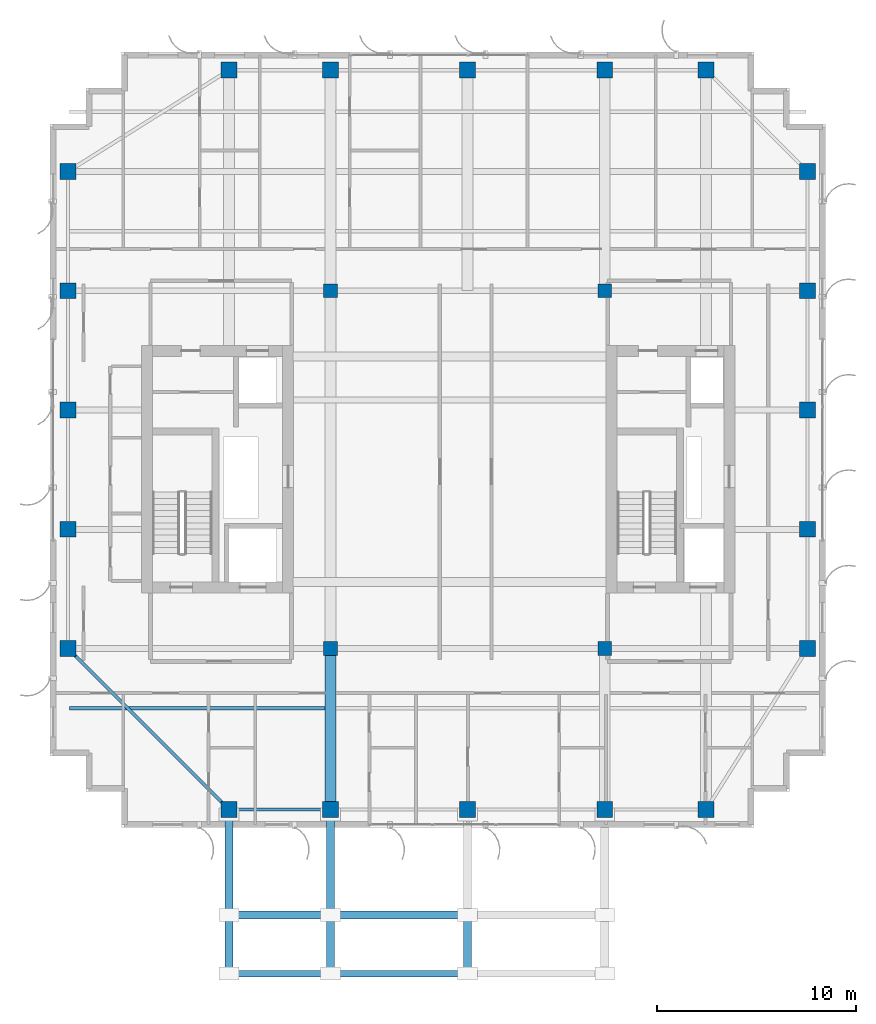
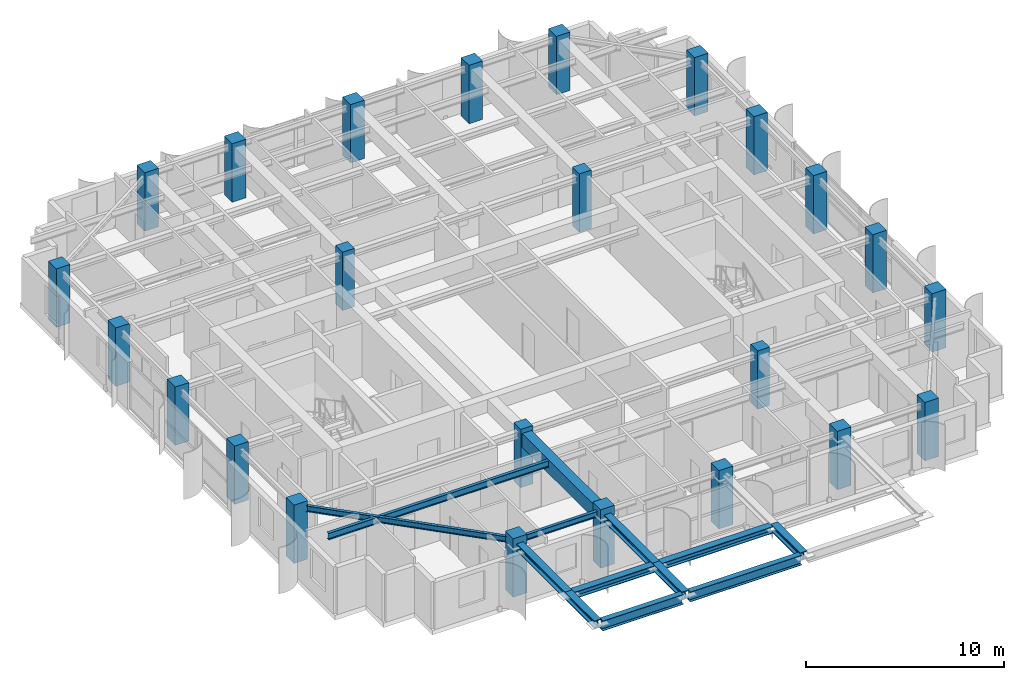
# One storey, part 1 of 19: 24 columns, 7 members, 6 beams.
"""IFC4 building model written with IfcOpenShell, lengths in metres."""

import ifcopenshell
import ifcopenshell.guid

model = None  # the IFC model being written
_history = None  # IfcOwnerHistory: only IFC2X3 demands one
_inside = {}  # id of a spatial element -> (the spatial element, [elements in it])
_under = {}  # id of a project, library or spatial element -> (it, [spatial elements below it])
_declared = {}  # id of a project -> (the project, [libraries it declares])
_typed = {}  # id of a type object -> (the type object, [elements of that type])
_made_of = {}  # id of a material, layer set ... -> (it, [elements and type objects made of it])


def new_model(schema):
    """Start an empty IFC model of exactly this schema.

    Asked for "IFC4X3", IfcOpenShell would pick the latest addendum, in which some entities
    have other attributes; the version numbers below select the first issue.
    IFC2X3 requires an IfcOwnerHistory on every rooted entity: one is made here for all.
    """
    global model, _history
    if schema == "IFC4X3":
        model = ifcopenshell.file(schema_version=(4, 3, 0, 0))
    else:
        model = ifcopenshell.file(schema=schema)
    _inside.clear()
    _under.clear()
    _declared.clear()
    _typed.clear()
    _made_of.clear()
    _history = None
    if model.schema == "IFC2X3":
        org = make("IfcOrganization", Name="unknown")
        user = make(
            "IfcPersonAndOrganization",
            ThePerson=make("IfcPerson", FamilyName="unknown"),
            TheOrganization=org,
        )
        app = make(
            "IfcApplication",
            ApplicationDeveloper=org,
            Version="unknown",
            ApplicationFullName="unknown",
            ApplicationIdentifier="unknown",
        )
        _history = make(
            "IfcOwnerHistory",
            OwningUser=user,
            OwningApplication=app,
            ChangeAction="ADDED",
            CreationDate=0,
        )
    return model


def make(cls, **values):
    """One entity of the class cls with the attributes given. An attribute that is None is left unset."""
    return model.create_entity(
        cls, **{name: value for name, value in values.items() if value is not None}
    )


def rooted(cls, **values):
    """An entity with a GlobalId (a new one), such as an element, a storey or a relation."""
    return make(cls, GlobalId=ifcopenshell.guid.new(), OwnerHistory=_history, **values)


def si_unit(unit_type, name, prefix=None):
    """IfcSIUnit, for example si_unit("LENGTHUNIT", "METRE", prefix="MILLI")."""
    return make("IfcSIUnit", UnitType=unit_type, Prefix=prefix, Name=name)


def assignment(units):
    """IfcUnitAssignment: the units of a project."""
    return None if units is None else make("IfcUnitAssignment", Units=units)


def point(xyz):
    """IfcCartesianPoint."""
    return None if xyz is None else make("IfcCartesianPoint", Coordinates=xyz)


def direction(xyz):
    """IfcDirection."""
    return None if xyz is None else make("IfcDirection", DirectionRatios=xyz)


def frame(location, z_axis=None, x_axis=None):
    """IfcAxis2Placement3D, a coordinate frame: its origin and axes. An axis left out is left unset."""
    return make(
        "IfcAxis2Placement3D",
        Location=point(location),
        Axis=direction(z_axis),
        RefDirection=direction(x_axis),
    )


def frame_2d(location, x_axis=None):
    """IfcAxis2Placement2D, a coordinate frame in the plane: its origin and x axis."""
    return make(
        "IfcAxis2Placement2D", Location=point(location), RefDirection=direction(x_axis)
    )


def origin():
    """The frame at (0, 0, 0) with its axes left unset."""
    return frame((0.0, 0.0, 0.0))


def origin_2d():
    """The frame at (0, 0) in the plane with its x axis left unset."""
    return frame_2d((0.0, 0.0))


def place(relative_to, where):
    """IfcLocalPlacement: puts the frame where relative to a parent placement (None: the world)."""
    return make(
        "IfcLocalPlacement", PlacementRelTo=relative_to, RelativePlacement=where
    )


def context(
    kind, dimensions, precision=None, world=None, true_north=None, identifier=None
):
    """IfcGeometricRepresentationContext, for example the 3D "Model" context."""
    return make(
        "IfcGeometricRepresentationContext",
        ContextIdentifier=identifier,
        ContextType=kind,
        CoordinateSpaceDimension=dimensions,
        Precision=precision,
        WorldCoordinateSystem=world,
        TrueNorth=true_north,
    )


def subcontext(parent, identifier, kind, view, scale=None):
    """IfcGeometricRepresentationSubContext, for example "Body" below "Model"."""
    return make(
        "IfcGeometricRepresentationSubContext",
        ContextIdentifier=identifier,
        ContextType=kind,
        ParentContext=parent,
        TargetScale=scale,
        TargetView=view,
    )


def project(units=None, contexts=None):
    """IfcProject with its units and contexts."""
    return rooted(
        "IfcProject",
        Name="project",
        RepresentationContexts=contexts,
        UnitsInContext=assignment(units),
    )


def spatial(cls, under=None, at=None, **own):
    """A site, building, storey or space (cls), placed at a placement, below another one or the project."""
    s = rooted(cls, ObjectPlacement=at, **own)
    if under is not None:
        _under.setdefault(under.id(), (under, []))[1].append(s)
    return s


def profile(cls, at=None, kind="AREA", **sizes):
    """A parametric profile (cls). Its sizes go by their IFC names, for example OverallWidth=200.0."""
    return make(cls, ProfileType=kind, Position=at, **sizes)


def rectangle(**sizes):
    """IfcRectangleProfileDef."""
    return profile("IfcRectangleProfileDef", **sizes)


def i_section(**sizes):
    """IfcIShapeProfileDef."""
    return profile("IfcIShapeProfileDef", **sizes)


def extrude(swept, where, along, depth):
    """IfcExtrudedAreaSolid: the profile swept, set in the frame where, extruded along a direction by depth."""
    return make(
        "IfcExtrudedAreaSolid",
        SweptArea=swept,
        Position=where,
        ExtrudedDirection=direction(along),
        Depth=depth,
    )


def shape(context_of_items, identifier, shape_type, items):
    """IfcShapeRepresentation: the items that make up one representation, for example the "Body"."""
    return make(
        "IfcShapeRepresentation",
        ContextOfItems=context_of_items,
        RepresentationIdentifier=identifier,
        RepresentationType=shape_type,
        Items=items,
    )


def source(mapping_origin, context_of_items, identifier, shape_type, items):
    """IfcRepresentationMap: a shape defined once, which mapped items show again and again."""
    return make(
        "IfcRepresentationMap",
        MappingOrigin=mapping_origin,
        MappedRepresentation=shape(context_of_items, identifier, shape_type, items),
    )


def transform(
    local_origin,
    x_axis=None,
    y_axis=None,
    z_axis=None,
    scale=None,
    scale2=None,
    scale3=None,
    uniform=True,
):
    """IfcCartesianTransformationOperator3D, or its non-uniform kind. x_axis, y_axis, z_axis: its Axis1, 2, 3."""
    if uniform:
        return make(
            "IfcCartesianTransformationOperator3D",
            Axis1=direction(x_axis),
            Axis2=direction(y_axis),
            LocalOrigin=point(local_origin),
            Scale=scale,
            Axis3=direction(z_axis),
        )
    return make(
        "IfcCartesianTransformationOperator3DnonUniform",
        Axis1=direction(x_axis),
        Axis2=direction(y_axis),
        LocalOrigin=point(local_origin),
        Scale=scale,
        Axis3=direction(z_axis),
        Scale2=scale2,
        Scale3=scale3,
    )


def mapped(mapping_source, mapping_target):
    """IfcMappedItem: shows the shape of a source again, moved by a transform."""
    return make(
        "IfcMappedItem", MappingSource=mapping_source, MappingTarget=mapping_target
    )


def material(Name=None, Category=None):
    """IfcMaterial."""
    return make("IfcMaterial", Name=Name, Category=Category)


def material_profile(
    of_material, cross_section, Name=None, Category=None, Priority=None
):
    """IfcMaterialProfile: a cross section and its material."""
    return make(
        "IfcMaterialProfile",
        Name=Name,
        Material=of_material,
        Profile=cross_section,
        Priority=Priority,
        Category=Category,
    )


def profile_set(profiles, Name=None, composite=None):
    """IfcMaterialProfileSet."""
    return make(
        "IfcMaterialProfileSet",
        Name=Name,
        MaterialProfiles=profiles,
        CompositeProfile=composite,
    )


def made_of(thing, what):
    """Note that an element or type object is made of a material, layer set ...; save() writes the relation."""
    if what is not None:
        _made_of.setdefault(what.id(), (what, []))[1].append(thing)
    return thing


def type_object(cls, material=None, **own):
    """A type object (cls), such as IfcWallType, which elements share."""
    return made_of(rooted(cls, **own), material)


def element(
    cls,
    number,
    at=None,
    inside=None,
    cuts=None,
    type_object=None,
    material=None,
    context=None,
    identifier="Body",
    shape_type=None,
    held_by="IfcProductDefinitionShape",
    body=None,
    shapes=None,
    **own,
):
    """One element of the class cls, such as IfcWall. Its Tag is "e" and its number.

    at: its placement. inside: the storey or other place that contains it. cuts: it is an
    opening in that element (IfcRelVoidsElement). A single representation is given by context,
    identifier, shape_type and body (its items); several are given by shapes. held_by: the class
    of the entity that holds the representations. save() writes the other relations.
    """
    e = rooted(cls, Tag="e%d" % number, ObjectPlacement=at, **own)
    if body is not None:
        shapes = [shape(context, identifier, shape_type, body)]
    if shapes is not None:
        e.Representation = make(held_by, Representations=shapes)
    if inside is not None:
        _inside.setdefault(inside.id(), (inside, []))[1].append(e)
    if cuts is not None:
        rooted(
            "IfcRelVoidsElement", RelatingBuildingElement=cuts, RelatedOpeningElement=e
        )
    if type_object is not None:
        _typed.setdefault(type_object.id(), (type_object, []))[1].append(e)
    return made_of(e, material)


def aggregate(whole, parts):
    """IfcRelAggregates: a whole, such as a stair, and the parts it consists of."""
    return rooted("IfcRelAggregates", RelatingObject=whole, RelatedObjects=parts)


def save(model, path):
    """Write the relations noted so far, then the file.

    IfcRelAggregates (storeys below a building ...), IfcRelContainedInSpatialStructure (elements
    in a storey), IfcRelDefinesByType, IfcRelAssociatesMaterial and IfcRelDeclares: one each for
    every whole, place, type object, material and project.
    """
    for whole, parts in _under.values():
        aggregate(whole, parts)
    for where, things in _inside.values():
        rooted(
            "IfcRelContainedInSpatialStructure",
            RelatedElements=things,
            RelatingStructure=where,
        )
    for kind, things in _typed.values():
        rooted("IfcRelDefinesByType", RelatedObjects=things, RelatingType=kind)
    for what, things in _made_of.values():
        rooted("IfcRelAssociatesMaterial", RelatedObjects=things, RelatingMaterial=what)
    for by, libraries in _declared.values():
        rooted("IfcRelDeclares", RelatingContext=by, RelatedDefinitions=libraries)
    model.write(path)


model = new_model("IFC4")

# Units and contexts
model_context = context("Model", 3, precision=1e-05, world=origin(), true_north=direction((0.0, 1.0)))
body_context = subcontext(model_context, "Body", "Model", "MODEL_VIEW")
ifc_project = project(units=[si_unit("LENGTHUNIT", "METRE"), si_unit("AREAUNIT", "SQUARE_METRE"), si_unit("VOLUMEUNIT", "CUBIC_METRE"), si_unit("PLANEANGLEUNIT", "RADIAN"), si_unit("MASSUNIT", "GRAM", prefix="KILO")], contexts=[model_context])

# Site, building, storey
site_placement = place(None, origin())
site = spatial("IfcSite", under=ifc_project, at=site_placement, CompositionType="ELEMENT")
building_placement = place(site_placement, origin())
building = spatial("IfcBuilding", under=site, at=building_placement, Name="Khoralis Quay Care Tower", CompositionType="ELEMENT")
storey_placement = place(building_placement, frame((0.0, 0.0, 281.699951171875)))
storey = spatial("IfcBuildingStorey", under=building, at=storey_placement, Name="L74", CompositionType="ELEMENT", Elevation=281.699951171875)

# Columns
ifc_material_1 = material(Name="Concrete C50/60", Category="concrete")
ifc_material_profile_1 = material_profile(ifc_material_1, rectangle(XDim=0.800048828125, YDim=0.800048828125, at=origin_2d()), Name="Concrete C50/60")
ifc_profile_set_1 = profile_set([ifc_material_profile_1], Name="Concrete C50/60")
column_type_1 = type_object("IfcColumnType", Name="COL-C800", PredefinedType="COLUMN", material=ifc_profile_set_1)
shared_shape_1 = source(origin(), body_context, "Body", "SweptSolid", [
    extrude(rectangle(XDim=0.800048828125, YDim=0.800048828125, at=origin_2d()), origin(), (0.0, 0.0, 1.0), 3.60009765625),
])
for number, where, z_axis, x_axis, name in (
    (1, (12.0, 3.89990234375, 0.0), (0.0, 0.0, 1.0), (1.0, 0.0, 0.0), "COL-TWR-L74-01"),
    (2, (12.0, 41.10009765625, 0.0), (0.0, 0.0, 1.0), (1.0, 0.0, 0.0), "COL-TWR-L74-02"),
    (3, (17.10009765625, 3.89990234375, 0.0), (0.0, 0.0, 1.0), (1.0, 0.0, 0.0), "COL-TWR-L74-03"),
    (4, (17.10009765625, 41.10009765625, 0.0), (0.0, 0.0, 1.0), (1.0, 0.0, 0.0), "COL-TWR-L74-04"),
    (5, (24.0, 3.89990234375, 0.0), (0.0, 0.0, 1.0), (1.0, 0.0, 0.0), "COL-TWR-L74-05"),
    (6, (24.0, 41.10009765625, 0.0), (0.0, 0.0, 1.0), (1.0, 0.0, 0.0), "COL-TWR-L74-06"),
    (7, (30.89990234375, 3.89990234375, 0.0), (0.0, 0.0, 1.0), (1.0, 0.0, 0.0), "COL-TWR-L74-07"),
    (8, (30.89990234375, 41.10009765625, 0.0), (0.0, 0.0, 1.0), (1.0, 0.0, 0.0), "COL-TWR-L74-08"),
    (9, (36.0, 3.89990234375, 0.0), (0.0, 0.0, 1.0), (1.0, 0.0, 0.0), "COL-TWR-L74-09"),
    (10, (36.0, 41.10009765625, 0.0), (0.0, 0.0, 1.0), (1.0, 0.0, 0.0), "COL-TWR-L74-10"),
    (11, (3.89990234375, 12.0, 0.0), (0.0, 0.0, 1.0), (1.0, 0.0, 0.0), "COL-TWR-L74-11"),
    (12, (41.10009765625, 12.0, 0.0), (0.0, 0.0, 1.0), (1.0, 0.0, 0.0), "COL-TWR-L74-12"),
    (13, (3.89990234375, 18.0, 0.0), (0.0, 0.0, 1.0), (1.0, 0.0, 0.0), "COL-TWR-L74-13"),
    (14, (41.10009765625, 18.0, 0.0), (0.0, 0.0, 1.0), (1.0, 0.0, 0.0), "COL-TWR-L74-14"),
    (15, (3.89990234375, 24.0, 0.0), (0.0, 0.0, 1.0), (1.0, 0.0, 0.0), "COL-TWR-L74-15"),
    (16, (41.10009765625, 24.0, 0.0), (0.0, 0.0, 1.0), (1.0, 0.0, 0.0), "COL-TWR-L74-16"),
    (17, (3.89990234375, 30.0, 0.0), (0.0, 0.0, 1.0), (1.0, 0.0, 0.0), "COL-TWR-L74-17"),
    (18, (41.10009765625, 30.0, 0.0), (0.0, 0.0, 1.0), (1.0, 0.0, 0.0), "COL-TWR-L74-18"),
    (19, (3.89990234375, 36.0, 0.0), (0.0, 0.0, 1.0), (1.0, 0.0, 0.0), "COL-TWR-L74-19"),
    (20, (41.10009765625, 36.0, 0.0), (0.0, 0.0, 1.0), (1.0, 0.0, 0.0), "COL-TWR-L74-20"),
):
    element("IfcColumn", number, at=place(storey_placement, frame(where, z_axis=z_axis, x_axis=x_axis)), inside=storey, type_object=column_type_1, Name=name, PredefinedType="COLUMN", context=body_context, shape_type="MappedRepresentation", body=[
        mapped(shared_shape_1, transform((0.0, 0.0, 0.0), scale=1.0)),
    ])
ifc_material_profile_2 = material_profile(ifc_material_1, rectangle(XDim=0.699951171875, YDim=0.699951171875, at=origin_2d()), Name="Concrete C50/60")
ifc_profile_set_2 = profile_set([ifc_material_profile_2], Name="Concrete C50/60")
column_type_2 = type_object("IfcColumnType", Name="COL-C700", PredefinedType="COLUMN", material=ifc_profile_set_2)
shared_shape_2 = source(origin(), body_context, "Body", "SweptSolid", [
    extrude(rectangle(XDim=0.699951171875, YDim=0.699951171875, at=origin_2d()), origin(), (0.0, 0.0, 1.0), 3.60009765625),
])
for number, where, z_axis, x_axis, name in (
    (21, (17.10009765625, 12.0, 0.0), (0.0, 0.0, 1.0), (1.0, 0.0, 0.0), "COL-TWR-L74-21"),
    (22, (17.10009765625, 30.0, 0.0), (0.0, 0.0, 1.0), (1.0, 0.0, 0.0), "COL-TWR-L74-22"),
    (23, (30.89990234375, 12.0, 0.0), (0.0, 0.0, 1.0), (1.0, 0.0, 0.0), "COL-TWR-L74-23"),
    (24, (30.89990234375, 30.0, 0.0), (0.0, 0.0, 1.0), (1.0, 0.0, 0.0), "COL-TWR-L74-24"),
):
    element("IfcColumn", number, at=place(storey_placement, frame(where, z_axis=z_axis, x_axis=x_axis)), inside=storey, type_object=column_type_2, Name=name, PredefinedType="COLUMN", context=body_context, shape_type="MappedRepresentation", body=[
        mapped(shared_shape_2, transform((0.0, 0.0, 0.0), scale=1.0)),
    ])

# Beams
ifc_material_2 = material(Name="Steel S355", Category="steel")
ifc_material_profile_3 = material_profile(ifc_material_2, i_section(OverallWidth=0.169921875, OverallDepth=0.360107421875, WebThickness=0.008056640625, FlangeThickness=0.0126953125, FilletRadius=0.01806640625, at=origin_2d()), Name="Steel S355")
ifc_profile_set_3 = profile_set([ifc_material_profile_3], Name="Steel S355")
beam_type_1 = type_object("IfcBeamType", Name="BM-IPE360", PredefinedType="SPANDREL", material=ifc_profile_set_3)
shared_shape_3 = source(origin(), body_context, "Body", "SweptSolid", [
    extrude(i_section(OverallWidth=0.169921875, OverallDepth=0.360107421875, WebThickness=0.008056640625, FlangeThickness=0.0126953125, FilletRadius=0.01806640625, at=origin_2d()), origin(), (0.0, 0.0, 1.0), 5.10009765625),
])
beam_1_placement = place(storey_placement, frame((12.0, 3.89990234375, 3.14013671875), z_axis=(1.0, 0.0, 0.0), x_axis=(0.0, 1.0, 0.0)))
element("IfcBeam", 25, at=beam_1_placement, inside=storey, type_object=beam_type_1, Name="BM-TSP-L74-01", PredefinedType="SPANDREL", context=body_context, shape_type="MappedRepresentation", body=[
    mapped(shared_shape_3, transform((0.0, 0.0, 0.0), scale=1.0)),
])
shared_shape_4 = source(origin(), body_context, "Body", "SweptSolid", [
    extrude(i_section(OverallWidth=0.169921875, OverallDepth=0.360107421875, WebThickness=0.008056640625, FlangeThickness=0.0126953125, FilletRadius=0.01806640625, at=origin_2d()), origin(), (0.0, 0.0, 1.0), 11.455322265625),
])
beam_2_placement = place(storey_placement, frame((12.0, 3.89990234375, 3.14013671875), z_axis=(-0.707106781187, 0.707106781187, 0.0), x_axis=(-0.707106781187, -0.707106781187, 0.0)))
element("IfcBeam", 26, at=beam_2_placement, inside=storey, type_object=beam_type_1, Name="BM-TCR-L74-17", PredefinedType="SPANDREL", context=body_context, shape_type="MappedRepresentation", body=[
    mapped(shared_shape_4, transform((0.0, 0.0, 0.0), scale=1.0)),
])
ifc_material_profile_4 = material_profile(ifc_material_1, rectangle(XDim=0.550048828125, YDim=0.85009765625, at=origin_2d()), Name="Concrete C50/60")
ifc_profile_set_4 = profile_set([ifc_material_profile_4], Name="Concrete C50/60")
beam_type_2 = type_object("IfcBeamType", Name="BM-RC550X850", PredefinedType="BEAM", material=ifc_profile_set_4)
shared_shape_5 = source(origin(), body_context, "Body", "SweptSolid", [
    extrude(rectangle(XDim=0.550048828125, YDim=0.85009765625, at=origin_2d()), origin(), (0.0, 0.0, 1.0), 8.10009765625),
])
beam_3_placement = place(storey_placement, frame((17.10009765625, 3.89990234375, 2.89501953125), z_axis=(0.0, 1.0, 0.0), x_axis=(-1.0, 0.0, 0.0)))
element("IfcBeam", 27, at=beam_3_placement, inside=storey, type_object=beam_type_2, Name="BM-TGYS-L74-171", PredefinedType="BEAM", context=body_context, shape_type="MappedRepresentation", body=[
    mapped(shared_shape_5, transform((0.0, 0.0, 0.0), scale=1.0)),
])
ifc_material_profile_5 = material_profile(ifc_material_2, i_section(OverallWidth=0.177978515625, OverallDepth=0.406982421875, WebThickness=0.0078125, FlangeThickness=0.0126953125, FilletRadius=0.012939453125, at=origin_2d()), Name="Steel S355")
ifc_profile_set_5 = profile_set([ifc_material_profile_5], Name="Steel S355")
beam_type_3 = type_object("IfcBeamType", Name="BM-W410X60", PredefinedType="JOIST", material=ifc_profile_set_5)
shared_shape_6 = source(origin(), body_context, "Body", "SweptSolid", [
    extrude(i_section(OverallWidth=0.177978515625, OverallDepth=0.406982421875, WebThickness=0.0078125, FlangeThickness=0.0126953125, FilletRadius=0.012939453125, at=origin_2d()), origin(), (0.0, 0.0, 1.0), 12.865966796875),
])
beam_4_placement = place(storey_placement, frame((3.970947265625, 9.0, 3.116455078125), z_axis=(1.0, 0.0, 0.0), x_axis=(0.0, 1.0, 0.0)))
element("IfcBeam", 28, at=beam_4_placement, inside=storey, type_object=beam_type_3, Name="BM-TJS-L74-21", PredefinedType="JOIST", context=body_context, shape_type="MappedRepresentation", body=[
    mapped(shared_shape_6, transform((0.0, 0.0, 0.0), scale=1.0)),
])

# Members
ifc_material_3 = material(Name="Steel S460", Category="steel")
ifc_material_profile_6 = material_profile(ifc_material_3, i_section(OverallWidth=0.412109375, OverallDepth=0.43505859375, WebThickness=0.030029296875, FlangeThickness=0.0419921875, FilletRadius=0.014892578125, at=origin_2d()), Name="Steel S460")
ifc_profile_set_6 = profile_set([ifc_material_profile_6], Name="Steel S460")
member_type_1 = type_object("IfcMemberType", Name="CH-HD400X463", PredefinedType="CHORD", material=ifc_profile_set_6)
shared_shape_7 = source(origin(), body_context, "Body", "SweptSolid", [
    extrude(i_section(OverallWidth=0.412109375, OverallDepth=0.43505859375, WebThickness=0.030029296875, FlangeThickness=0.0419921875, FilletRadius=0.014892578125, at=origin_2d()), origin(), (0.0, 0.0, 1.0), 5.059814453125),
])
for number, where, z_axis, x_axis, name in (
    (29, (12.0, 3.659912109375, 3.0), (0.0, -1.0, 0.0), (1.0, 0.0, 0.0), "L74 Sky Pool Space Truss Top Chord 1A"),
    (30, (17.10009765625, 3.659912109375, 3.0), (0.0, -1.0, 0.0), (1.0, 0.0, 0.0), "L74 Sky Pool Space Truss Top Chord 2A"),
):
    element("IfcMember", number, at=place(storey_placement, frame(where, z_axis=z_axis, x_axis=x_axis)), inside=storey, type_object=member_type_1, Name=name, PredefinedType="CHORD", context=body_context, shape_type="MappedRepresentation", body=[
        mapped(shared_shape_7, transform((0.0, 0.0, 0.0), scale=1.0)),
    ])
shared_shape_8 = source(origin(), body_context, "Body", "SweptSolid", [
    extrude(i_section(OverallWidth=0.412109375, OverallDepth=0.43505859375, WebThickness=0.030029296875, FlangeThickness=0.0419921875, FilletRadius=0.014892578125, at=origin_2d()), origin(), (0.0, 0.0, 1.0), 2.9501953125),
])
for number, where, z_axis, x_axis, name in (
    (31, (12.0, -1.39990234375, 3.0), (0.0, -1.0, 0.0), (1.0, 0.0, 0.0), "L74 Sky Pool Space Truss Top Chord 1B"),
    (32, (17.10009765625, -1.39990234375, 3.0), (0.0, -1.0, 0.0), (1.0, 0.0, 0.0), "L74 Sky Pool Space Truss Top Chord 2B"),
    (33, (24.0, -1.39990234375, 3.0), (0.0, -1.0, 0.0), (1.0, 0.0, 0.0), "L74 Sky Pool Space Truss Top Chord 3B"),
):
    element("IfcMember", number, at=place(storey_placement, frame(where, z_axis=z_axis, x_axis=x_axis)), inside=storey, type_object=member_type_1, Name=name, PredefinedType="CHORD", context=body_context, shape_type="MappedRepresentation", body=[
        mapped(shared_shape_8, transform((0.0, 0.0, 0.0), scale=1.0)),
    ])
ifc_material_profile_7 = material_profile(ifc_material_3, i_section(OverallWidth=0.406005859375, OverallDepth=0.416015625, WebThickness=0.02490234375, FlangeThickness=0.034912109375, FilletRadius=0.014892578125, at=origin_2d()), Name="Steel S460")
ifc_profile_set_7 = profile_set([ifc_material_profile_7], Name="Steel S460")
member_type_2 = type_object("IfcMemberType", Name="CH-HD400X382", PredefinedType="CHORD", material=ifc_profile_set_7)
shared_shape_9 = source(origin(), body_context, "Body", "SweptSolid", [
    extrude(i_section(OverallWidth=0.406005859375, OverallDepth=0.416015625, WebThickness=0.02490234375, FlangeThickness=0.034912109375, FilletRadius=0.014892578125, at=origin_2d()), origin(), (0.0, 0.0, 1.0), 4.7099609375),
])
member_1_placement = place(storey_placement, frame((12.195068359375, -1.39990234375, 2.97216796875), z_axis=(1.0, 0.0, 0.0), x_axis=(0.0, 1.0, 0.0)))
element("IfcMember", 34, at=member_1_placement, inside=storey, type_object=member_type_2, Name="L74 Sky Pool Space Truss Bottom Chord 12", PredefinedType="CHORD", context=body_context, shape_type="MappedRepresentation", body=[
    mapped(shared_shape_9, transform((0.0, 0.0, 0.0), scale=1.0)),
])
shared_shape_10 = source(origin(), body_context, "Body", "SweptSolid", [
    extrude(i_section(OverallWidth=0.406005859375, OverallDepth=0.416015625, WebThickness=0.02490234375, FlangeThickness=0.034912109375, FilletRadius=0.014892578125, at=origin_2d()), origin(), (0.0, 0.0, 1.0), 6.510009765625),
])
member_2_placement = place(storey_placement, frame((17.294921875, -1.39990234375, 2.97216796875), z_axis=(1.0, 0.0, 0.0), x_axis=(0.0, 1.0, 0.0)))
element("IfcMember", 35, at=member_2_placement, inside=storey, type_object=member_type_2, Name="L74 Sky Pool Space Truss Bottom Chord 17", PredefinedType="CHORD", context=body_context, shape_type="MappedRepresentation", body=[
    mapped(shared_shape_10, transform((0.0, 0.0, 0.0), scale=1.0)),
])

# Beams
ifc_material_profile_8 = material_profile(ifc_material_2, i_section(OverallWidth=0.324951171875, OverallDepth=0.615966796875, WebThickness=0.013916015625, FlangeThickness=0.021484375, FilletRadius=0.01806640625, at=origin_2d()), Name="Steel S355")
ifc_profile_set_8 = profile_set([ifc_material_profile_8], Name="Steel S355")
beam_type_4 = type_object("IfcBeamType", Name="BM-W610X174", PredefinedType="BEAM", material=ifc_profile_set_8)
shared_shape_11 = source(origin(), body_context, "Body", "SweptSolid", [
    extrude(i_section(OverallWidth=0.324951171875, OverallDepth=0.615966796875, WebThickness=0.013916015625, FlangeThickness=0.021484375, FilletRadius=0.01806640625, at=origin_2d()), origin(), (0.0, 0.0, 1.0), 4.7099609375),
])
beam_5_placement = place(storey_placement, frame((12.195068359375, -4.35009765625, 2.8720703125), z_axis=(1.0, 0.0, 0.0), x_axis=(0.0, 1.0, 0.0)))
element("IfcBeam", 36, at=beam_5_placement, inside=storey, type_object=beam_type_4, Name="BM-SPTIE-2-12", PredefinedType="BEAM", context=body_context, shape_type="MappedRepresentation", body=[
    mapped(shared_shape_11, transform((0.0, 0.0, 0.0), scale=1.0)),
])
shared_shape_12 = source(origin(), body_context, "Body", "SweptSolid", [
    extrude(i_section(OverallWidth=0.324951171875, OverallDepth=0.615966796875, WebThickness=0.013916015625, FlangeThickness=0.021484375, FilletRadius=0.01806640625, at=origin_2d()), origin(), (0.0, 0.0, 1.0), 6.510009765625),
])
beam_6_placement = place(storey_placement, frame((17.294921875, -4.35009765625, 2.8720703125), z_axis=(1.0, 0.0, 0.0), x_axis=(0.0, 1.0, 0.0)))
element("IfcBeam", 37, at=beam_6_placement, inside=storey, type_object=beam_type_4, Name="BM-SPTIE-2-17", PredefinedType="BEAM", context=body_context, shape_type="MappedRepresentation", body=[
    mapped(shared_shape_12, transform((0.0, 0.0, 0.0), scale=1.0)),
])

save(model, "model.ifc")
